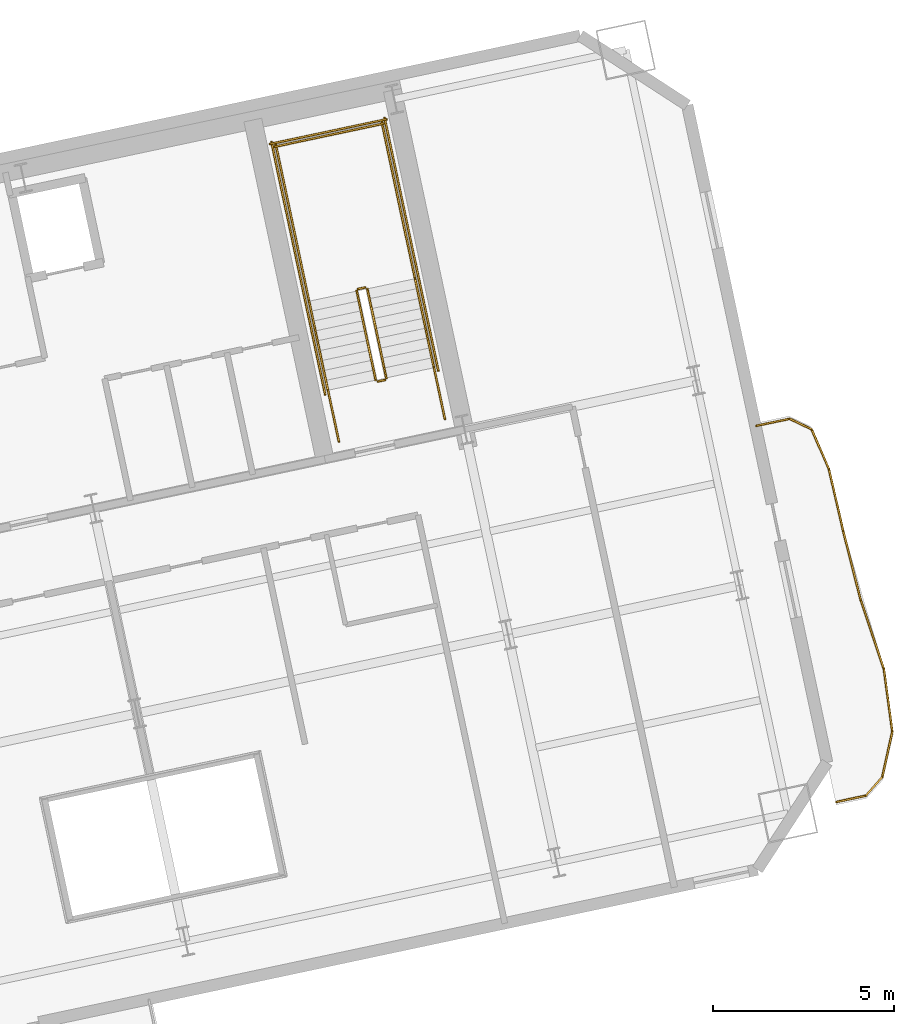
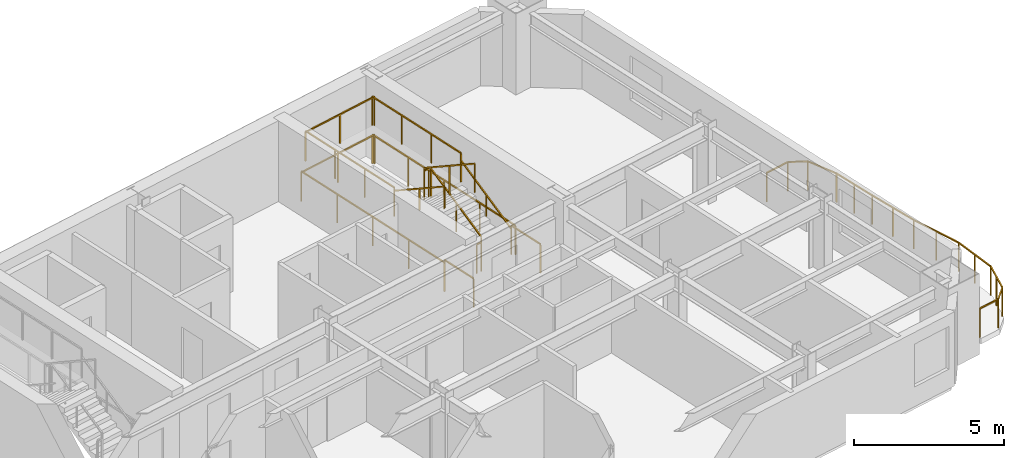
# One storey, part 14 of 14: 24 railings.
"""IFC4 building model written with IfcOpenShell, lengths in metres."""

from ifc_helpers import new_model, si_unit, direction, frame, origin, origin_2d, place, context, subcontext, project, spatial, rectangle, extrude, material, type_object, element, save


model = new_model("IFC4")

# Units and contexts
model_context = context("Model", 3, precision=1e-05, world=origin(), true_north=direction((0.0, 1.0)))
body_context = subcontext(model_context, "Body", "Model", "MODEL_VIEW")
ifc_project = project(units=[si_unit("LENGTHUNIT", "METRE"), si_unit("AREAUNIT", "SQUARE_METRE"), si_unit("VOLUMEUNIT", "CUBIC_METRE"), si_unit("PLANEANGLEUNIT", "RADIAN"), si_unit("MASSUNIT", "GRAM", prefix="KILO")], contexts=[model_context])

# Site, building, storey
site_placement = place(None, origin())
site = spatial("IfcSite", under=ifc_project, at=site_placement, CompositionType="ELEMENT")
building_placement = place(site_placement, origin())
building = spatial("IfcBuilding", under=site, at=building_placement, Name="Haevon Station Towers", CompositionType="ELEMENT")
storey_placement = place(building_placement, frame((0.0, 0.0, 116.39990234375)))
storey = spatial("IfcBuildingStorey", under=building, at=storey_placement, Name="L31", CompositionType="ELEMENT", Elevation=116.39990234375)

# Railings
ifc_material = material(Name="Steel S355", Category="steel")
railing_type_1 = type_object("IfcRailingType", Name="GRD-EXT1200", PredefinedType="GUARDRAIL", material=ifc_material)
railing_1_placement = place(storey_placement, frame((129.5849609375, 31.5009765625, 0.0)))
element("IfcRailing", 1, at=railing_1_placement, inside=storey, type_object=railing_type_1, Name="L31 Perimeter Guardrail 1", PredefinedType="GUARDRAIL", context=body_context, shape_type="SweptSolid", body=[
    extrude(rectangle(XDim=0.048095703125, YDim=0.048095703125, at=origin_2d()), frame((0.0, 0.0, 1.17578125), z_axis=(0.977691431104, 0.210046341426, 0.0), x_axis=(-0.210046341426, 0.977691431104, 0.0)), (0.0, 0.0, 1.0), 0.838134765625),
    extrude(rectangle(XDim=0.0419921875, YDim=0.0419921875, at=origin_2d()), origin(), (0.0, 0.0, 1.0), 1.15185546875),
    extrude(rectangle(XDim=0.0419921875, YDim=0.0419921875, at=origin_2d()), frame((0.8193359375, 0.176025390625, 0.0)), (0.0, 0.0, 1.0), 1.15185546875),
])
railing_2_placement = place(storey_placement, frame((130.404296875, 31.677001953125, 0.0)))
element("IfcRailing", 2, at=railing_2_placement, inside=storey, type_object=railing_type_1, Name="L31 Perimeter Guardrail 2", PredefinedType="GUARDRAIL", context=body_context, shape_type="SweptSolid", body=[
    extrude(rectangle(XDim=0.048095703125, YDim=0.048095703125, at=origin_2d()), frame((0.0, 0.0, 1.17578125), z_axis=(0.660060025651, 0.751212861004, 0.0), x_axis=(-0.751212861004, 0.660060025651, 0.0)), (0.0, 0.0, 1.0), 0.688232421875),
    extrude(rectangle(XDim=0.0419921875, YDim=0.0419921875, at=origin_2d()), origin(), (0.0, 0.0, 1.0), 1.15185546875),
    extrude(rectangle(XDim=0.0419921875, YDim=0.0419921875, at=origin_2d()), frame((0.454345703125, 0.51708984375, 0.0)), (0.0, 0.0, 1.0), 1.15185546875),
])
railing_3_placement = place(storey_placement, frame((130.858642578125, 32.194091796875, 0.0)))
element("IfcRailing", 3, at=railing_3_placement, inside=storey, type_object=railing_type_1, Name="L31 Perimeter Guardrail 3", PredefinedType="GUARDRAIL", context=body_context, shape_type="SweptSolid", body=[
    extrude(rectangle(XDim=0.048095703125, YDim=0.048095703125, at=origin_2d()), frame((0.0, 0.0, 1.17578125), z_axis=(0.215702809337, 0.97645906112, 0.0), x_axis=(-0.97645906112, 0.215702809337, 0.0)), (0.0, 0.0, 1.0), 1.28466796875),
    extrude(rectangle(XDim=0.0419921875, YDim=0.0419921875, at=origin_2d()), origin(), (0.0, 0.0, 1.0), 1.15185546875),
    extrude(rectangle(XDim=0.0419921875, YDim=0.0419921875, at=origin_2d()), frame((0.138671875, 0.627197265625, 0.0)), (0.0, 0.0, 1.0), 1.15185546875),
    extrude(rectangle(XDim=0.0419921875, YDim=0.0419921875, at=origin_2d()), frame((0.277099609375, 1.25439453125, 0.0)), (0.0, 0.0, 1.0), 1.15185546875),
])
railing_4_placement = place(storey_placement, frame((131.1357421875, 33.448486328125, 0.0)))
element("IfcRailing", 4, at=railing_4_placement, inside=storey, type_object=railing_type_1, Name="L31 Perimeter Guardrail 4", PredefinedType="GUARDRAIL", context=body_context, shape_type="SweptSolid", body=[
    extrude(rectangle(XDim=0.048095703125, YDim=0.048095703125, at=origin_2d()), frame((0.0, 0.0, 1.17578125), z_axis=(-0.134435548682, 0.990922339667, 0.0), x_axis=(-0.990922339667, -0.134435548682, 0.0)), (0.0, 0.0, 1.0), 1.75244140625),
    extrude(rectangle(XDim=0.0419921875, YDim=0.0419921875, at=origin_2d()), origin(), (0.0, 0.0, 1.0), 1.15185546875),
    extrude(rectangle(XDim=0.0419921875, YDim=0.0419921875, at=origin_2d()), frame((-0.11767578125, 0.8681640625, 0.0)), (0.0, 0.0, 1.0), 1.15185546875),
    extrude(rectangle(XDim=0.0419921875, YDim=0.0419921875, at=origin_2d()), frame((-0.235595703125, 1.736572265625, 0.0)), (0.0, 0.0, 1.0), 1.15185546875),
])
railing_5_placement = place(storey_placement, frame((130.900146484375, 35.18505859375, 0.0)))
element("IfcRailing", 5, at=railing_5_placement, inside=storey, type_object=railing_type_1, Name="L31 Perimeter Guardrail 5", PredefinedType="GUARDRAIL", context=body_context, shape_type="SweptSolid", body=[
    extrude(rectangle(XDim=0.048095703125, YDim=0.048095703125, at=origin_2d()), frame((0.0, 0.0, 1.17578125), z_axis=(-0.318893091338, 0.94779069224, 0.0), x_axis=(-0.94779069224, -0.318893091338, 0.0)), (0.0, 0.0, 1.0), 2.005126953125),
    extrude(rectangle(XDim=0.0419921875, YDim=0.0419921875, at=origin_2d()), origin(), (0.0, 0.0, 1.0), 1.15185546875),
    extrude(rectangle(XDim=0.0419921875, YDim=0.0419921875, at=origin_2d()), frame((-0.31982421875, 0.9501953125, 0.0)), (0.0, 0.0, 1.0), 1.15185546875),
    extrude(rectangle(XDim=0.0419921875, YDim=0.0419921875, at=origin_2d()), frame((-0.639404296875, 1.900390625, 0.0)), (0.0, 0.0, 1.0), 1.15185546875),
])
railing_6_placement = place(storey_placement, frame((130.2607421875, 37.08544921875, 0.0)))
element("IfcRailing", 6, at=railing_6_placement, inside=storey, type_object=railing_type_1, Name="L31 Perimeter Guardrail 6", PredefinedType="GUARDRAIL", context=body_context, shape_type="SweptSolid", body=[
    extrude(rectangle(XDim=0.048095703125, YDim=0.048095703125, at=origin_2d()), frame((0.0, 0.0, 1.17578125), z_axis=(-0.245103723825, 0.969496861556, 0.0), x_axis=(-0.969496861556, -0.245103723825, 0.0)), (0.0, 0.0, 1.0), 1.990234375),
    extrude(rectangle(XDim=0.0419921875, YDim=0.0419921875, at=origin_2d()), origin(), (0.0, 0.0, 1.0), 1.15185546875),
    extrude(rectangle(XDim=0.0419921875, YDim=0.0419921875, at=origin_2d()), frame((-0.243896484375, 0.96484375, 0.0)), (0.0, 0.0, 1.0), 1.15185546875),
    extrude(rectangle(XDim=0.0419921875, YDim=0.0419921875, at=origin_2d()), frame((-0.48779296875, 1.929443359375, 0.0)), (0.0, 0.0, 1.0), 1.15185546875),
])
railing_7_placement = place(storey_placement, frame((129.77294921875, 39.014892578125, 0.0)))
element("IfcRailing", 7, at=railing_7_placement, inside=storey, type_object=railing_type_1, Name="L31 Perimeter Guardrail 7", PredefinedType="GUARDRAIL", context=body_context, shape_type="SweptSolid", body=[
    extrude(rectangle(XDim=0.048095703125, YDim=0.048095703125, at=origin_2d()), frame((0.0, 0.0, 1.17578125), z_axis=(-0.225073377868, 0.974341816087, 0.0), x_axis=(-0.974341816087, -0.225073377868, 0.0)), (0.0, 0.0, 1.0), 1.750732421875),
    extrude(rectangle(XDim=0.0419921875, YDim=0.0419921875, at=origin_2d()), origin(), (0.0, 0.0, 1.0), 1.15185546875),
    extrude(rectangle(XDim=0.0419921875, YDim=0.0419921875, at=origin_2d()), frame((-0.197021484375, 0.85302734375, 0.0)), (0.0, 0.0, 1.0), 1.15185546875),
    extrude(rectangle(XDim=0.0419921875, YDim=0.0419921875, at=origin_2d()), frame((-0.39404296875, 1.705810546875, 0.0)), (0.0, 0.0, 1.0), 1.15185546875),
])
railing_8_placement = place(storey_placement, frame((129.37890625, 40.720703125, 0.0)))
element("IfcRailing", 8, at=railing_8_placement, inside=storey, type_object=railing_type_1, Name="L31 Perimeter Guardrail 8", PredefinedType="GUARDRAIL", context=body_context, shape_type="SweptSolid", body=[
    extrude(rectangle(XDim=0.048095703125, YDim=0.048095703125, at=origin_2d()), frame((0.0, 0.0, 1.17578125), z_axis=(-0.399144782292, 0.916887911781, 0.0), x_axis=(-0.916887911781, -0.399144782292, 0.0)), (0.0, 0.0, 1.0), 1.19384765625),
    extrude(rectangle(XDim=0.0419921875, YDim=0.0419921875, at=origin_2d()), origin(), (0.0, 0.0, 1.0), 1.15185546875),
    extrude(rectangle(XDim=0.0419921875, YDim=0.0419921875, at=origin_2d()), frame((-0.4765625, 1.0947265625, 0.0)), (0.0, 0.0, 1.0), 1.15185546875),
])
railing_9_placement = place(storey_placement, frame((128.90234375, 41.8154296875, 0.0)))
element("IfcRailing", 9, at=railing_9_placement, inside=storey, type_object=railing_type_1, Name="L31 Perimeter Guardrail 9", PredefinedType="GUARDRAIL", context=body_context, shape_type="SweptSolid", body=[
    extrude(rectangle(XDim=0.048095703125, YDim=0.048095703125, at=origin_2d()), frame((0.0, 0.0, 1.17578125), z_axis=(-0.901421184137, 0.432943239686, 0.0), x_axis=(-0.432943239686, -0.901421184137, 0.0)), (0.0, 0.0, 1.0), 0.67333984375),
    extrude(rectangle(XDim=0.0419921875, YDim=0.0419921875, at=origin_2d()), origin(), (0.0, 0.0, 1.0), 1.15185546875),
    extrude(rectangle(XDim=0.0419921875, YDim=0.0419921875, at=origin_2d()), frame((-0.60693359375, 0.29150390625, 0.0)), (0.0, 0.0, 1.0), 1.15185546875),
])
railing_10_placement = place(storey_placement, frame((128.29541015625, 42.10693359375, 0.0)))
element("IfcRailing", 10, at=railing_10_placement, inside=storey, type_object=railing_type_1, Name="L31 Perimeter Guardrail 10", PredefinedType="GUARDRAIL", context=body_context, shape_type="SweptSolid", body=[
    extrude(rectangle(XDim=0.048095703125, YDim=0.048095703125, at=origin_2d()), frame((0.0, 0.0, 1.17578125), z_axis=(-0.978560764673, -0.205958320645, 0.0), x_axis=(0.205958320645, -0.978560764673, 0.0)), (0.0, 0.0, 1.0), 0.943603515625),
    extrude(rectangle(XDim=0.0419921875, YDim=0.0419921875, at=origin_2d()), origin(), (0.0, 0.0, 1.0), 1.15185546875),
    extrude(rectangle(XDim=0.0419921875, YDim=0.0419921875, at=origin_2d()), frame((-0.92333984375, -0.1943359375, 0.0)), (0.0, 0.0, 1.0), 1.15185546875),
])
railing_type_2 = type_object("IfcRailingType", Name="GRD-STR1200", PredefinedType="GUARDRAIL", material=ifc_material)
railing_11_placement = place(storey_placement, frame((117.128662109375, 43.23974609375, 0.1650390625)))
element("IfcRailing", 11, at=railing_11_placement, inside=storey, type_object=railing_type_2, Name="L31 ST4 Stair Guard 1", PredefinedType="GUARDRAIL", context=body_context, shape_type="SweptSolid", body=[
    extrude(rectangle(XDim=0.048095703125, YDim=0.048095703125, at=origin_2d()), frame((0.0, 0.0, 1.17578125), z_axis=(-0.179121265225, 0.842687928106, 0.507732831485), x_axis=(-0.978147030254, -0.207914374695, 0.0)), (0.0, 0.0, 1.0), 2.925048828125),
    extrude(rectangle(XDim=0.0419921875, YDim=0.0419921875, at=origin_2d()), origin(), (0.0, 0.0, 1.0), 1.15185546875),
    extrude(rectangle(XDim=0.0419921875, YDim=0.0419921875, at=origin_2d()), frame((-0.261962890625, 1.232421875, 0.74267578125)), (0.0, 0.0, 1.0), 1.15185546875),
    extrude(rectangle(XDim=0.0419921875, YDim=0.0419921875, at=origin_2d()), frame((-0.52392578125, 2.46484375, 1.485107421875)), (0.0, 0.0, 1.0), 1.15185546875),
])
railing_12_placement = place(storey_placement, frame((116.54541015625, 45.7431640625, 1.650146484375)))
element("IfcRailing", 12, at=railing_12_placement, inside=storey, type_object=railing_type_2, Name="L31 ST4 Stair Guard 2", PredefinedType="GUARDRAIL", context=body_context, shape_type="SweptSolid", body=[
    extrude(rectangle(XDim=0.048095703125, YDim=0.048095703125, at=origin_2d()), frame((0.0, 0.0, 1.17578125), z_axis=(-0.97826412705, -0.207362720198, 0.0), x_axis=(0.207362720198, -0.97826412705, 0.0)), (0.0, 0.0, 1.0), 0.2001953125),
    extrude(rectangle(XDim=0.0419921875, YDim=0.0419921875, at=origin_2d()), origin(), (0.0, 0.0, 1.0), 1.15185546875),
    extrude(rectangle(XDim=0.0419921875, YDim=0.0419921875, at=origin_2d()), frame((-0.19580078125, -0.04150390625, 0.0)), (0.0, 0.0, 1.0), 1.15185546875),
])
railing_13_placement = place(storey_placement, frame((117.925048828125, 45.9853515625, 1.650146484375)))
element("IfcRailing", 13, at=railing_13_placement, inside=storey, type_object=railing_type_2, Name="L31 ST4 Stair Guard 3", PredefinedType="GUARDRAIL", context=body_context, shape_type="SweptSolid", body=[
    extrude(rectangle(XDim=0.048095703125, YDim=0.048095703125, at=origin_2d()), frame((0.0, 0.0, 1.17578125), z_axis=(-0.207876551949, 0.978155069071, 0.0), x_axis=(-0.978155069071, -0.207876551949, 0.0)), (0.0, 0.0, 1.0), 4.429931640625),
    extrude(rectangle(XDim=0.0419921875, YDim=0.0419921875, at=origin_2d()), origin(), (0.0, 0.0, 1.0), 1.15185546875),
    extrude(rectangle(XDim=0.0419921875, YDim=0.0419921875, at=origin_2d()), frame((-0.306884765625, 1.4443359375, 0.0)), (0.0, 0.0, 1.0), 1.15185546875),
    extrude(rectangle(XDim=0.0419921875, YDim=0.0419921875, at=origin_2d()), frame((-0.614013671875, 2.888916015625, 0.0)), (0.0, 0.0, 1.0), 1.15185546875),
    extrude(rectangle(XDim=0.0419921875, YDim=0.0419921875, at=origin_2d()), frame((-0.9208984375, 4.333251953125, 0.0)), (0.0, 0.0, 1.0), 1.15185546875),
])
railing_14_placement = place(storey_placement, frame((114.99072265625, 45.361572265625, 1.650146484375)))
element("IfcRailing", 14, at=railing_14_placement, inside=storey, type_object=railing_type_2, Name="L31 ST4 Stair Guard 4", PredefinedType="GUARDRAIL", context=body_context, shape_type="SweptSolid", body=[
    extrude(rectangle(XDim=0.048095703125, YDim=0.048095703125, at=origin_2d()), frame((0.0, 0.0, 1.17578125), z_axis=(-0.207929280007, 0.978143861871, 0.0), x_axis=(-0.978143861871, -0.207929280007, 0.0)), (0.0, 0.0, 1.0), 4.43017578125),
    extrude(rectangle(XDim=0.0419921875, YDim=0.0419921875, at=origin_2d()), origin(), (0.0, 0.0, 1.0), 1.15185546875),
    extrude(rectangle(XDim=0.0419921875, YDim=0.0419921875, at=origin_2d()), frame((-0.30712890625, 1.4443359375, 0.0)), (0.0, 0.0, 1.0), 1.15185546875),
    extrude(rectangle(XDim=0.0419921875, YDim=0.0419921875, at=origin_2d()), frame((-0.614013671875, 2.888916015625, 0.0)), (0.0, 0.0, 1.0), 1.15185546875),
    extrude(rectangle(XDim=0.0419921875, YDim=0.0419921875, at=origin_2d()), frame((-0.921142578125, 4.333251953125, 0.0)), (0.0, 0.0, 1.0), 1.15185546875),
])
railing_15_placement = place(storey_placement, frame((117.0634765625, 50.280029296875, 1.650146484375)))
element("IfcRailing", 15, at=railing_15_placement, inside=storey, type_object=railing_type_2, Name="L31 ST4 Stair Guard 5", PredefinedType="GUARDRAIL", context=body_context, shape_type="SweptSolid", body=[
    extrude(rectangle(XDim=0.048095703125, YDim=0.048095703125, at=origin_2d()), frame((0.0, 0.0, 1.17578125), z_axis=(-0.978146839882, -0.207915270313, 0.0), x_axis=(0.207915270313, -0.978146839882, 0.0)), (0.0, 0.0, 1.0), 3.099853515625),
    extrude(rectangle(XDim=0.0419921875, YDim=0.0419921875, at=origin_2d()), origin(), (0.0, 0.0, 1.0), 1.15185546875),
    extrude(rectangle(XDim=0.0419921875, YDim=0.0419921875, at=origin_2d()), frame((-1.51611328125, -0.322265625, 0.0)), (0.0, 0.0, 1.0), 1.15185546875),
    extrude(rectangle(XDim=0.0419921875, YDim=0.0419921875, at=origin_2d()), frame((-3.0322265625, -0.64453125, 0.0)), (0.0, 0.0, 1.0), 1.15185546875),
])
railing_16_placement = place(storey_placement, frame((116.311279296875, 45.642333984375, 1.815185546875)))
element("IfcRailing", 16, at=railing_16_placement, inside=storey, type_object=railing_type_2, Name="L31 ST4 Stair Guard 6", PredefinedType="GUARDRAIL", context=body_context, shape_type="SweptSolid", body=[
    extrude(rectangle(XDim=0.048095703125, YDim=0.048095703125, at=origin_2d()), frame((0.0, 0.0, 1.17578125), z_axis=(0.179116256339, -0.842747828638, 0.507635168246), x_axis=(0.978151217824, 0.207894673017, 0.0)), (0.0, 0.0, 1.0), 2.925048828125),
    extrude(rectangle(XDim=0.0419921875, YDim=0.0419921875, at=origin_2d()), origin(), (0.0, 0.0, 1.0), 1.15185546875),
    extrude(rectangle(XDim=0.0419921875, YDim=0.0419921875, at=origin_2d()), frame((0.261962890625, -1.232421875, 0.742431640625)), (0.0, 0.0, 1.0), 1.15185546875),
    extrude(rectangle(XDim=0.0419921875, YDim=0.0419921875, at=origin_2d()), frame((0.52392578125, -2.465087890625, 1.48486328125)), (0.0, 0.0, 1.0), 1.15185546875),
])
railing_17_placement = place(storey_placement, frame((117.090087890625, 43.180419921875, 0.0)))
element("IfcRailing", 17, at=railing_17_placement, inside=storey, type_object=railing_type_2, Name="L31 ST4 Stair Guard 7", PredefinedType="GUARDRAIL", context=body_context, shape_type="SweptSolid", body=[
    extrude(rectangle(XDim=0.048095703125, YDim=0.048095703125, at=origin_2d()), frame((0.0, 0.0, 1.17578125), z_axis=(-0.978211583308, -0.207610448392, 0.0), x_axis=(0.207610448392, -0.978211583308, 0.0)), (0.0, 0.0, 1.0), 0.199951171875),
    extrude(rectangle(XDim=0.0419921875, YDim=0.0419921875, at=origin_2d()), origin(), (0.0, 0.0, 1.0), 1.15185546875),
    extrude(rectangle(XDim=0.0419921875, YDim=0.0419921875, at=origin_2d()), frame((-0.195556640625, -0.04150390625, 0.0)), (0.0, 0.0, 1.0), 1.15185546875),
])
for number, where, name in (
    (18, (118.75048828125, 42.10205078125, 0.0), "L31 ST4 Stair Guard 8"),
    (19, (115.816162109375, 41.478271484375, 0.0), "L31 ST4 Stair Guard 9"),
):
    element("IfcRailing", number, at=place(storey_placement, frame(where)), inside=storey, type_object=railing_type_2, Name=name, PredefinedType="GUARDRAIL", context=body_context, shape_type="SweptSolid", body=[
        extrude(rectangle(XDim=0.048095703125, YDim=0.048095703125, at=origin_2d()), frame((0.0, 0.0, 1.17578125), z_axis=(-0.207919161079, 0.978146012851, 0.0), x_axis=(-0.978146012851, -0.207919161079, 0.0)), (0.0, 0.0, 1.0), 1.4501953125),
        extrude(rectangle(XDim=0.0419921875, YDim=0.0419921875, at=origin_2d()), origin(), (0.0, 0.0, 1.0), 1.15185546875),
        extrude(rectangle(XDim=0.0419921875, YDim=0.0419921875, at=origin_2d()), frame((-0.301513671875, 1.41845703125, 0.0)), (0.0, 0.0, 1.0), 1.15185546875),
    ])
railing_18_placement = place(storey_placement, frame((118.567626953125, 43.443359375, 0.0)))
element("IfcRailing", 20, at=railing_18_placement, inside=storey, type_object=railing_type_2, Name="L31 ST4 Stair Guard 10", PredefinedType="GUARDRAIL", context=body_context, shape_type="SweptSolid", body=[
    extrude(rectangle(XDim=0.048095703125, YDim=0.048095703125, at=origin_2d()), frame((0.0, 0.0, 1.17578125), z_axis=(-0.207908168386, 0.978148349443, 0.0), x_axis=(-0.978148349443, -0.207908168386, 0.0)), (0.0, 0.0, 1.0), 7.150146484375),
    extrude(rectangle(XDim=0.0419921875, YDim=0.0419921875, at=origin_2d()), origin(), (0.0, 0.0, 1.0), 1.15185546875),
    extrude(rectangle(XDim=0.0419921875, YDim=0.0419921875, at=origin_2d()), frame((-0.37158203125, 1.74853515625, 0.0)), (0.0, 0.0, 1.0), 1.15185546875),
    extrude(rectangle(XDim=0.0419921875, YDim=0.0419921875, at=origin_2d()), frame((-0.7431640625, 3.4970703125, 0.0)), (0.0, 0.0, 1.0), 1.15185546875),
    extrude(rectangle(XDim=0.0419921875, YDim=0.0419921875, at=origin_2d()), frame((-1.114990234375, 5.245361328125, 0.0)), (0.0, 0.0, 1.0), 1.15185546875),
    extrude(rectangle(XDim=0.0419921875, YDim=0.0419921875, at=origin_2d()), frame((-1.486572265625, 6.993896484375, 0.0)), (0.0, 0.0, 1.0), 1.15185546875),
])
railing_19_placement = place(storey_placement, frame((115.4375, 42.778076171875, 0.0)))
element("IfcRailing", 21, at=railing_19_placement, inside=storey, type_object=railing_type_2, Name="L31 ST4 Stair Guard 11", PredefinedType="GUARDRAIL", context=body_context, shape_type="SweptSolid", body=[
    extrude(rectangle(XDim=0.048095703125, YDim=0.048095703125, at=origin_2d()), frame((0.0, 0.0, 1.17578125), z_axis=(-0.207882442208, 0.978153817261, 0.0), x_axis=(-0.978153817261, -0.207882442208, 0.0)), (0.0, 0.0, 1.0), 7.14990234375),
    extrude(rectangle(XDim=0.0419921875, YDim=0.0419921875, at=origin_2d()), origin(), (0.0, 0.0, 1.0), 1.15185546875),
    extrude(rectangle(XDim=0.0419921875, YDim=0.0419921875, at=origin_2d()), frame((-0.37158203125, 1.74853515625, 0.0)), (0.0, 0.0, 1.0), 1.15185546875),
    extrude(rectangle(XDim=0.0419921875, YDim=0.0419921875, at=origin_2d()), frame((-0.7431640625, 3.496826171875, 0.0)), (0.0, 0.0, 1.0), 1.15185546875),
    extrude(rectangle(XDim=0.0419921875, YDim=0.0419921875, at=origin_2d()), frame((-1.11474609375, 5.2451171875, 0.0)), (0.0, 0.0, 1.0), 1.15185546875),
    extrude(rectangle(XDim=0.0419921875, YDim=0.0419921875, at=origin_2d()), frame((-1.486328125, 6.99365234375, 0.0)), (0.0, 0.0, 1.0), 1.15185546875),
])
railing_20_placement = place(storey_placement, frame((117.140380859375, 50.398681640625, 0.0)))
element("IfcRailing", 22, at=railing_20_placement, inside=storey, type_object=railing_type_2, Name="L31 ST4 Stair Guard 12", PredefinedType="GUARDRAIL", context=body_context, shape_type="SweptSolid", body=[
    extrude(rectangle(XDim=0.048095703125, YDim=0.048095703125, at=origin_2d()), frame((0.0, 0.0, 1.17578125), z_axis=(-0.978135717418, -0.207967589567, 0.0), x_axis=(0.207967589567, -0.978135717418, 0.0)), (0.0, 0.0, 1.0), 3.300048828125),
    extrude(rectangle(XDim=0.0419921875, YDim=0.0419921875, at=origin_2d()), origin(), (0.0, 0.0, 1.0), 1.15185546875),
    extrude(rectangle(XDim=0.0419921875, YDim=0.0419921875, at=origin_2d()), frame((-1.61376953125, -0.34326171875, 0.0)), (0.0, 0.0, 1.0), 1.15185546875),
    extrude(rectangle(XDim=0.0419921875, YDim=0.0419921875, at=origin_2d()), frame((-3.227783203125, -0.686279296875, 0.0)), (0.0, 0.0, 1.0), 1.15185546875),
])
railing_type_3 = type_object("IfcRailingType", Name="HND-STR900", PredefinedType="HANDRAIL", material=ifc_material)
railing_21_placement = place(storey_placement, frame((118.448974609375, 43.5205078125, 0.1650390625)))
element("IfcRailing", 23, at=railing_21_placement, inside=storey, type_object=railing_type_3, Name="L31 ST4 Stair Handrail 1", PredefinedType="HANDRAIL", context=body_context, shape_type="SweptSolid", body=[
    extrude(rectangle(XDim=0.048095703125, YDim=0.048095703125, at=origin_2d()), frame((0.0, 0.0, 0.8759765625), z_axis=(-0.179121265225, 0.842687928106, 0.507732831485), x_axis=(-0.978147030254, -0.207914374695, 0.0)), (0.0, 0.0, 1.0), 2.925048828125),
    extrude(rectangle(XDim=0.0419921875, YDim=0.0419921875, at=origin_2d()), origin(), (0.0, 0.0, 1.0), 0.851806640625),
    extrude(rectangle(XDim=0.0419921875, YDim=0.0419921875, at=origin_2d()), frame((-0.261962890625, 1.232421875, 0.74267578125)), (0.0, 0.0, 1.0), 0.851806640625),
    extrude(rectangle(XDim=0.0419921875, YDim=0.0419921875, at=origin_2d()), frame((-0.52392578125, 2.46484375, 1.485107421875)), (0.0, 0.0, 1.0), 0.851806640625),
])
railing_22_placement = place(storey_placement, frame((114.99072265625, 45.361572265625, 1.815185546875)))
element("IfcRailing", 24, at=railing_22_placement, inside=storey, type_object=railing_type_3, Name="L31 ST4 Stair Handrail 2", PredefinedType="HANDRAIL", context=body_context, shape_type="SweptSolid", body=[
    extrude(rectangle(XDim=0.048095703125, YDim=0.048095703125, at=origin_2d()), frame((0.0, 0.0, 0.8759765625), z_axis=(0.179128856099, -0.842723639875, 0.507670877349), x_axis=(0.978147030254, 0.207914374695, 0.0)), (0.0, 0.0, 1.0), 2.9248046875),
    extrude(rectangle(XDim=0.0419921875, YDim=0.0419921875, at=origin_2d()), origin(), (0.0, 0.0, 1.0), 0.851806640625),
    extrude(rectangle(XDim=0.0419921875, YDim=0.0419921875, at=origin_2d()), frame((0.261962890625, -1.232421875, 0.742431640625)), (0.0, 0.0, 1.0), 0.851806640625),
    extrude(rectangle(XDim=0.0419921875, YDim=0.0419921875, at=origin_2d()), frame((0.52392578125, -2.46484375, 1.48486328125)), (0.0, 0.0, 1.0), 0.851806640625),
])

save(model, "model.ifc")
